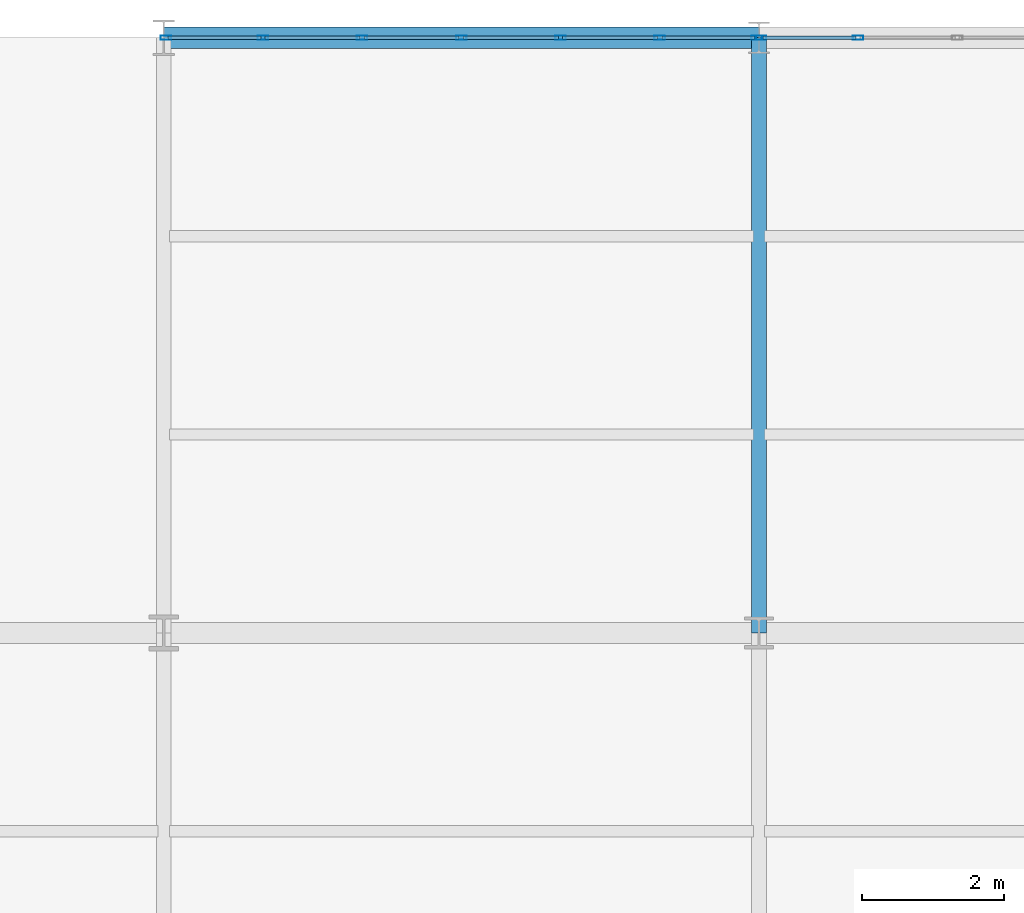
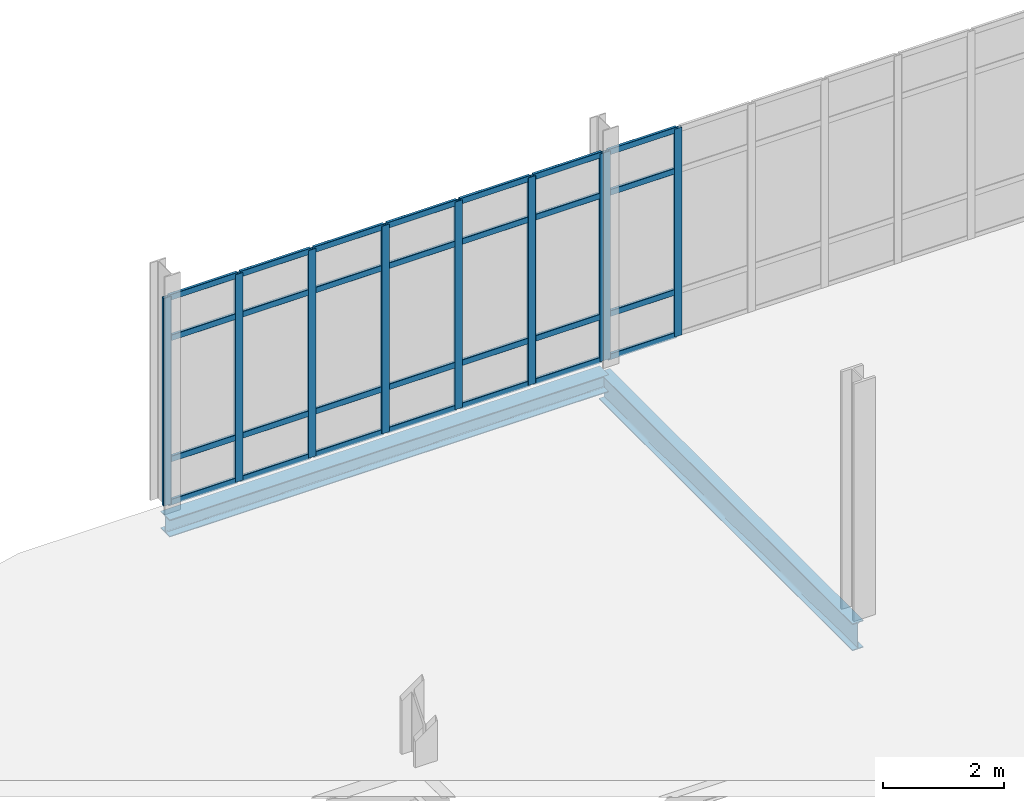
# One storey, part 84 of 145: 37 members, 2 beams, 2 elements without a shape of their own.
"""IFC4 building model written with IfcOpenShell, lengths in metres."""

from ifc_helpers import new_model, si_unit, direction, frame, origin, origin_2d, place, context, subcontext, project, spatial, hollow_rectangle, i_section, extrude, material, layer, layer_set, material_profile, profile_set, type_object, element, aggregate, save


model = new_model("IFC4")

# Units and contexts
model_context = context("Model", 3, precision=1e-05, world=origin(), true_north=direction((0.0, 1.0)))
body_context = subcontext(model_context, "Body", "Model", "MODEL_VIEW")
ifc_project = project(units=[si_unit("LENGTHUNIT", "METRE"), si_unit("AREAUNIT", "SQUARE_METRE"), si_unit("VOLUMEUNIT", "CUBIC_METRE"), si_unit("PLANEANGLEUNIT", "RADIAN"), si_unit("MASSUNIT", "GRAM", prefix="KILO")], contexts=[model_context])

# Site, building, storey
site_placement = place(None, origin())
site = spatial("IfcSite", under=ifc_project, at=site_placement, CompositionType="ELEMENT")
building_placement = place(site_placement, origin())
building = spatial("IfcBuilding", under=site, at=building_placement, Name="Qalvenar Corner Mobility Hub", CompositionType="ELEMENT")
storey_placement = place(building_placement, origin())
storey = spatial("IfcBuildingStorey", under=building, at=storey_placement, Name="L00", CompositionType="ELEMENT", Elevation=0.0)

# Beams
ifc_material_1 = material(Name="Steel S355", Category="steel")
ifc_material_profile_1 = material_profile(ifc_material_1, i_section(OverallWidth=0.2099609375, OverallDepth=0.550048828125, WebThickness=0.010986328125, FlangeThickness=0.01708984375, FilletRadius=0.02392578125, at=origin_2d()), Name="IPE550")
ifc_profile_set_1 = profile_set([ifc_material_profile_1], Name="Steel S355")
beam_type_1 = type_object("IfcBeamType", Name="BM-IPE550", PredefinedType="BEAM", material=ifc_profile_set_1)
beam_1_placement = place(storey_placement, frame((75.60009765625, 109.199951171875, -0.4951171875), z_axis=(0.0, 1.0, 0.0), x_axis=(-1.0, 0.0, 0.0)))
element("IfcBeam", 1, at=beam_1_placement, inside=storey, type_object=beam_type_1, Name="Primary Steel Girder GY-0604", PredefinedType="BEAM", context=body_context, shape_type="SweptSolid", body=[
    extrude(i_section(OverallWidth=0.2099609375, OverallDepth=0.550048828125, WebThickness=0.010986328125, FlangeThickness=0.01708984375, FilletRadius=0.02392578125, at=origin_2d()), origin(), (0.0, 0.0, 1.0), 8.400146484375),
])
ifc_material_profile_2 = material_profile(ifc_material_1, i_section(OverallWidth=0.300048828125, OverallDepth=0.35009765625, WebThickness=0.010009765625, FlangeThickness=0.017578125, FilletRadius=0.027099609375, at=origin_2d()), Name="HEA360")
ifc_profile_set_2 = profile_set([ifc_material_profile_2], Name="Steel S355")
beam_type_2 = type_object("IfcBeamType", Name="BM-SPN360", PredefinedType="SPANDREL", material=ifc_profile_set_2)
beam_2_placement = place(storey_placement, frame((67.199951171875, 117.60009765625, -0.39501953125), z_axis=(1.0, 0.0, 0.0), x_axis=(0.0, 1.0, 0.0)))
element("IfcBeam", 2, at=beam_2_placement, inside=storey, type_object=beam_type_2, Name="Primary Steel Girder GX-0581", PredefinedType="SPANDREL", context=body_context, shape_type="SweptSolid", body=[
    extrude(i_section(OverallWidth=0.300048828125, OverallDepth=0.35009765625, WebThickness=0.010009765625, FlangeThickness=0.017578125, FilletRadius=0.027099609375, at=origin_2d()), origin(), (0.0, 0.0, 1.0), 8.400146484375),
])

# Curtain wall, members
ifc_material_2 = material(Name="Anodised Aluminium and Low-E Glazing", Category="aluminium")
ifc_layer = layer(ifc_material_2, 0.14990234375)
ifc_layer_set = layer_set([ifc_layer], Name="Anodised Aluminium and Low-E Glazing")
curtain_wall_type = type_object("IfcCurtainWallType", Name="CW-MOB-84X46", PredefinedType="NOTDEFINED", material=ifc_layer_set)
curtain_wall_1_placement = place(storey_placement, origin())
curtain_wall_1 = element("IfcCurtainWall", 3, at=curtain_wall_1_placement, inside=storey, type_object=curtain_wall_type, Name="Glazed Curtain Wall CW-V4-L00-N1", PredefinedType="NOTDEFINED")
ifc_material_3 = material(Name="Anodised Aluminium 6063-T6", Category="aluminium")
ifc_material_profile_3 = material_profile(ifc_material_3, hollow_rectangle(XDim=0.06005859375, YDim=0.14990234375, WallThickness=0.00390625, InnerFilletRadius=0.00390625, OuterFilletRadius=0.008056640625, at=origin_2d()), Name="RHS150x60x4")
ifc_profile_set_3 = profile_set([ifc_material_profile_3], Name="Anodised Aluminium 6063-T6")
member_type_1 = type_object("IfcMemberType", Name="CW-MUL150", PredefinedType="MULLION", material=ifc_profile_set_3)
member_1_placement = place(storey_placement, frame((75.570068359375, 117.60009765625, 0.0), z_axis=(0.0, 0.0, 1.0), x_axis=(0.0, -1.0, 0.0)))
member_1 = element("IfcMember", 4, at=member_1_placement, type_object=member_type_1, Name="CW-03 mullion 1", PredefinedType="MULLION", context=body_context, shape_type="SweptSolid", body=[
    extrude(hollow_rectangle(XDim=0.06005859375, YDim=0.14990234375, WallThickness=0.00390625, InnerFilletRadius=0.00390625, OuterFilletRadius=0.008056640625, at=origin_2d()), origin(), (0.0, 0.0, 1.0), 4.199951171875),
])
member_2_placement = place(storey_placement, frame((74.199951171875, 117.60009765625, 0.0), z_axis=(0.0, 0.0, 1.0), x_axis=(0.0, -1.0, 0.0)))
member_2 = element("IfcMember", 5, at=member_2_placement, type_object=member_type_1, Name="CW-03 mullion 2", PredefinedType="MULLION", context=body_context, shape_type="SweptSolid", body=[
    extrude(hollow_rectangle(XDim=0.06005859375, YDim=0.14990234375, WallThickness=0.00390625, InnerFilletRadius=0.00390625, OuterFilletRadius=0.008056640625, at=origin_2d()), origin(), (0.0, 0.0, 1.0), 4.199951171875),
])
member_3_placement = place(storey_placement, frame((72.800048828125, 117.60009765625, 0.0), z_axis=(0.0, 0.0, 1.0), x_axis=(0.0, -1.0, 0.0)))
member_3 = element("IfcMember", 6, at=member_3_placement, type_object=member_type_1, Name="CW-03 mullion 3", PredefinedType="MULLION", context=body_context, shape_type="SweptSolid", body=[
    extrude(hollow_rectangle(XDim=0.06005859375, YDim=0.14990234375, WallThickness=0.00390625, InnerFilletRadius=0.00390625, OuterFilletRadius=0.008056640625, at=origin_2d()), origin(), (0.0, 0.0, 1.0), 4.199951171875),
])
member_4_placement = place(storey_placement, frame((71.39990234375, 117.60009765625, 0.0), z_axis=(0.0, 0.0, 1.0), x_axis=(0.0, -1.0, 0.0)))
member_4 = element("IfcMember", 7, at=member_4_placement, type_object=member_type_1, Name="CW-03 mullion 4", PredefinedType="MULLION", context=body_context, shape_type="SweptSolid", body=[
    extrude(hollow_rectangle(XDim=0.06005859375, YDim=0.14990234375, WallThickness=0.00390625, InnerFilletRadius=0.00390625, OuterFilletRadius=0.008056640625, at=origin_2d()), origin(), (0.0, 0.0, 1.0), 4.199951171875),
])
member_5_placement = place(storey_placement, frame((70.0, 117.60009765625, 0.0), z_axis=(0.0, 0.0, 1.0), x_axis=(0.0, -1.0, 0.0)))
member_5 = element("IfcMember", 8, at=member_5_placement, type_object=member_type_1, Name="CW-03 mullion 5", PredefinedType="MULLION", context=body_context, shape_type="SweptSolid", body=[
    extrude(hollow_rectangle(XDim=0.06005859375, YDim=0.14990234375, WallThickness=0.00390625, InnerFilletRadius=0.00390625, OuterFilletRadius=0.008056640625, at=origin_2d()), origin(), (0.0, 0.0, 1.0), 4.199951171875),
])
member_6_placement = place(storey_placement, frame((68.60009765625, 117.60009765625, 0.0), z_axis=(0.0, 0.0, 1.0), x_axis=(0.0, -1.0, 0.0)))
member_6 = element("IfcMember", 9, at=member_6_placement, type_object=member_type_1, Name="CW-03 mullion 6", PredefinedType="MULLION", context=body_context, shape_type="SweptSolid", body=[
    extrude(hollow_rectangle(XDim=0.06005859375, YDim=0.14990234375, WallThickness=0.00390625, InnerFilletRadius=0.00390625, OuterFilletRadius=0.008056640625, at=origin_2d()), origin(), (0.0, 0.0, 1.0), 4.199951171875),
])
member_7_placement = place(storey_placement, frame((67.22998046875, 117.60009765625, 0.0), z_axis=(0.0, 0.0, 1.0), x_axis=(0.0, -1.0, 0.0)))
member_7 = element("IfcMember", 10, at=member_7_placement, type_object=member_type_1, Name="CW-03 mullion 7", PredefinedType="MULLION", context=body_context, shape_type="SweptSolid", body=[
    extrude(hollow_rectangle(XDim=0.06005859375, YDim=0.14990234375, WallThickness=0.00390625, InnerFilletRadius=0.00390625, OuterFilletRadius=0.008056640625, at=origin_2d()), origin(), (0.0, 0.0, 1.0), 4.199951171875),
])

curtain_wall_2_placement = place(storey_placement, origin())
curtain_wall_2 = element("IfcCurtainWall", 11, at=curtain_wall_2_placement, inside=storey, type_object=curtain_wall_type, Name="Glazed Curtain Wall CW-V4-L00-N2", PredefinedType="NOTDEFINED")
member_8_placement = place(storey_placement, frame((77.0, 117.60009765625, 0.0), z_axis=(0.0, 0.0, 1.0), x_axis=(0.0, -1.0, 0.0)))
member_8 = element("IfcMember", 12, at=member_8_placement, type_object=member_type_1, Name="CW-03 mullion 6", PredefinedType="MULLION", context=body_context, shape_type="SweptSolid", body=[
    extrude(hollow_rectangle(XDim=0.06005859375, YDim=0.14990234375, WallThickness=0.00390625, InnerFilletRadius=0.00390625, OuterFilletRadius=0.008056640625, at=origin_2d()), origin(), (0.0, 0.0, 1.0), 4.199951171875),
])
member_9_placement = place(storey_placement, frame((75.6298828125, 117.60009765625, 0.0), z_axis=(0.0, 0.0, 1.0), x_axis=(0.0, -1.0, 0.0)))
member_9 = element("IfcMember", 13, at=member_9_placement, type_object=member_type_1, Name="CW-03 mullion 7", PredefinedType="MULLION", context=body_context, shape_type="SweptSolid", body=[
    extrude(hollow_rectangle(XDim=0.06005859375, YDim=0.14990234375, WallThickness=0.00390625, InnerFilletRadius=0.00390625, OuterFilletRadius=0.008056640625, at=origin_2d()), origin(), (0.0, 0.0, 1.0), 4.199951171875),
])

# Member
ifc_material_profile_4 = material_profile(ifc_material_3, hollow_rectangle(XDim=0.054931640625, YDim=0.1201171875, WallThickness=0.00341796875, InnerFilletRadius=0.00341796875, OuterFilletRadius=0.007080078125, at=origin_2d()), Name="RHS120x55x3.5")
ifc_profile_set_4 = profile_set([ifc_material_profile_4], Name="Anodised Aluminium 6063-T6")
member_type_2 = type_object("IfcMemberType", Name="CW-TRN120", PredefinedType="USERDEFINED", material=ifc_profile_set_4)
member_10_placement = place(storey_placement, frame((75.5400390625, 117.60009765625, 0.027587890625), z_axis=(-1.0, 0.0, 0.0), x_axis=(0.0, -1.0, 0.0)))
member_10 = element("IfcMember", 14, at=member_10_placement, type_object=member_type_2, Name="CW-03 transom 1.1", ObjectType="TRANSOM", PredefinedType="USERDEFINED", context=body_context, shape_type="SweptSolid", body=[
    extrude(hollow_rectangle(XDim=0.054931640625, YDim=0.1201171875, WallThickness=0.00341796875, InnerFilletRadius=0.00341796875, OuterFilletRadius=0.007080078125, at=origin_2d()), origin(), (0.0, 0.0, 1.0), 1.31005859375),
])

member_11_placement = place(storey_placement, frame((75.5400390625, 117.60009765625, 0.89990234375), z_axis=(-1.0, 0.0, 0.0), x_axis=(0.0, -1.0, 0.0)))
member_11 = element("IfcMember", 15, at=member_11_placement, type_object=member_type_2, Name="CW-03 transom 1.2", ObjectType="TRANSOM", PredefinedType="USERDEFINED", context=body_context, shape_type="SweptSolid", body=[
    extrude(hollow_rectangle(XDim=0.054931640625, YDim=0.1201171875, WallThickness=0.00341796875, InnerFilletRadius=0.00341796875, OuterFilletRadius=0.007080078125, at=origin_2d()), origin(), (0.0, 0.0, 1.0), 1.31005859375),
])

member_12_placement = place(storey_placement, frame((75.5400390625, 117.60009765625, 3.35009765625), z_axis=(-1.0, 0.0, 0.0), x_axis=(0.0, -1.0, 0.0)))
member_12 = element("IfcMember", 16, at=member_12_placement, type_object=member_type_2, Name="CW-03 transom 1.3", ObjectType="TRANSOM", PredefinedType="USERDEFINED", context=body_context, shape_type="SweptSolid", body=[
    extrude(hollow_rectangle(XDim=0.054931640625, YDim=0.1201171875, WallThickness=0.00341796875, InnerFilletRadius=0.00341796875, OuterFilletRadius=0.007080078125, at=origin_2d()), origin(), (0.0, 0.0, 1.0), 1.31005859375),
])

member_13_placement = place(storey_placement, frame((75.5400390625, 117.60009765625, 4.172607421875), z_axis=(-1.0, 0.0, 0.0), x_axis=(0.0, -1.0, 0.0)))
member_13 = element("IfcMember", 17, at=member_13_placement, type_object=member_type_2, Name="CW-03 transom 1.4", ObjectType="TRANSOM", PredefinedType="USERDEFINED", context=body_context, shape_type="SweptSolid", body=[
    extrude(hollow_rectangle(XDim=0.054931640625, YDim=0.1201171875, WallThickness=0.00341796875, InnerFilletRadius=0.00341796875, OuterFilletRadius=0.007080078125, at=origin_2d()), origin(), (0.0, 0.0, 1.0), 1.31005859375),
])

member_14_placement = place(storey_placement, frame((74.169921875, 117.60009765625, 0.027587890625), z_axis=(-1.0, 0.0, 0.0), x_axis=(0.0, -1.0, 0.0)))
member_14 = element("IfcMember", 18, at=member_14_placement, type_object=member_type_2, Name="CW-03 transom 2.1", ObjectType="TRANSOM", PredefinedType="USERDEFINED", context=body_context, shape_type="SweptSolid", body=[
    extrude(hollow_rectangle(XDim=0.054931640625, YDim=0.1201171875, WallThickness=0.00341796875, InnerFilletRadius=0.00341796875, OuterFilletRadius=0.007080078125, at=origin_2d()), origin(), (0.0, 0.0, 1.0), 1.33984375),
])

member_15_placement = place(storey_placement, frame((74.169921875, 117.60009765625, 0.89990234375), z_axis=(-1.0, 0.0, 0.0), x_axis=(0.0, -1.0, 0.0)))
member_15 = element("IfcMember", 19, at=member_15_placement, type_object=member_type_2, Name="CW-03 transom 2.2", ObjectType="TRANSOM", PredefinedType="USERDEFINED", context=body_context, shape_type="SweptSolid", body=[
    extrude(hollow_rectangle(XDim=0.054931640625, YDim=0.1201171875, WallThickness=0.00341796875, InnerFilletRadius=0.00341796875, OuterFilletRadius=0.007080078125, at=origin_2d()), origin(), (0.0, 0.0, 1.0), 1.33984375),
])

member_16_placement = place(storey_placement, frame((74.169921875, 117.60009765625, 3.35009765625), z_axis=(-1.0, 0.0, 0.0), x_axis=(0.0, -1.0, 0.0)))
member_16 = element("IfcMember", 20, at=member_16_placement, type_object=member_type_2, Name="CW-03 transom 2.3", ObjectType="TRANSOM", PredefinedType="USERDEFINED", context=body_context, shape_type="SweptSolid", body=[
    extrude(hollow_rectangle(XDim=0.054931640625, YDim=0.1201171875, WallThickness=0.00341796875, InnerFilletRadius=0.00341796875, OuterFilletRadius=0.007080078125, at=origin_2d()), origin(), (0.0, 0.0, 1.0), 1.33984375),
])

member_17_placement = place(storey_placement, frame((74.169921875, 117.60009765625, 4.172607421875), z_axis=(-1.0, 0.0, 0.0), x_axis=(0.0, -1.0, 0.0)))
member_17 = element("IfcMember", 21, at=member_17_placement, type_object=member_type_2, Name="CW-03 transom 2.4", ObjectType="TRANSOM", PredefinedType="USERDEFINED", context=body_context, shape_type="SweptSolid", body=[
    extrude(hollow_rectangle(XDim=0.054931640625, YDim=0.1201171875, WallThickness=0.00341796875, InnerFilletRadius=0.00341796875, OuterFilletRadius=0.007080078125, at=origin_2d()), origin(), (0.0, 0.0, 1.0), 1.33984375),
])

member_18_placement = place(storey_placement, frame((72.77001953125, 117.60009765625, 0.027587890625), z_axis=(-1.0, 0.0, 0.0), x_axis=(0.0, -1.0, 0.0)))
member_18 = element("IfcMember", 22, at=member_18_placement, type_object=member_type_2, Name="CW-03 transom 3.1", ObjectType="TRANSOM", PredefinedType="USERDEFINED", context=body_context, shape_type="SweptSolid", body=[
    extrude(hollow_rectangle(XDim=0.054931640625, YDim=0.1201171875, WallThickness=0.00341796875, InnerFilletRadius=0.00341796875, OuterFilletRadius=0.007080078125, at=origin_2d()), origin(), (0.0, 0.0, 1.0), 1.340087890625),
])

member_19_placement = place(storey_placement, frame((72.77001953125, 117.60009765625, 0.89990234375), z_axis=(-1.0, 0.0, 0.0), x_axis=(0.0, -1.0, 0.0)))
member_19 = element("IfcMember", 23, at=member_19_placement, type_object=member_type_2, Name="CW-03 transom 3.2", ObjectType="TRANSOM", PredefinedType="USERDEFINED", context=body_context, shape_type="SweptSolid", body=[
    extrude(hollow_rectangle(XDim=0.054931640625, YDim=0.1201171875, WallThickness=0.00341796875, InnerFilletRadius=0.00341796875, OuterFilletRadius=0.007080078125, at=origin_2d()), origin(), (0.0, 0.0, 1.0), 1.340087890625),
])

member_20_placement = place(storey_placement, frame((72.77001953125, 117.60009765625, 3.35009765625), z_axis=(-1.0, 0.0, 0.0), x_axis=(0.0, -1.0, 0.0)))
member_20 = element("IfcMember", 24, at=member_20_placement, type_object=member_type_2, Name="CW-03 transom 3.3", ObjectType="TRANSOM", PredefinedType="USERDEFINED", context=body_context, shape_type="SweptSolid", body=[
    extrude(hollow_rectangle(XDim=0.054931640625, YDim=0.1201171875, WallThickness=0.00341796875, InnerFilletRadius=0.00341796875, OuterFilletRadius=0.007080078125, at=origin_2d()), origin(), (0.0, 0.0, 1.0), 1.340087890625),
])

member_21_placement = place(storey_placement, frame((72.77001953125, 117.60009765625, 4.172607421875), z_axis=(-1.0, 0.0, 0.0), x_axis=(0.0, -1.0, 0.0)))
member_21 = element("IfcMember", 25, at=member_21_placement, type_object=member_type_2, Name="CW-03 transom 3.4", ObjectType="TRANSOM", PredefinedType="USERDEFINED", context=body_context, shape_type="SweptSolid", body=[
    extrude(hollow_rectangle(XDim=0.054931640625, YDim=0.1201171875, WallThickness=0.00341796875, InnerFilletRadius=0.00341796875, OuterFilletRadius=0.007080078125, at=origin_2d()), origin(), (0.0, 0.0, 1.0), 1.340087890625),
])

member_22_placement = place(storey_placement, frame((71.3701171875, 117.60009765625, 0.027587890625), z_axis=(-1.0, 0.0, 0.0), x_axis=(0.0, -1.0, 0.0)))
member_22 = element("IfcMember", 26, at=member_22_placement, type_object=member_type_2, Name="CW-03 transom 4.1", ObjectType="TRANSOM", PredefinedType="USERDEFINED", context=body_context, shape_type="SweptSolid", body=[
    extrude(hollow_rectangle(XDim=0.054931640625, YDim=0.1201171875, WallThickness=0.00341796875, InnerFilletRadius=0.00341796875, OuterFilletRadius=0.007080078125, at=origin_2d()), origin(), (0.0, 0.0, 1.0), 1.340087890625),
])

member_23_placement = place(storey_placement, frame((71.3701171875, 117.60009765625, 0.89990234375), z_axis=(-1.0, 0.0, 0.0), x_axis=(0.0, -1.0, 0.0)))
member_23 = element("IfcMember", 27, at=member_23_placement, type_object=member_type_2, Name="CW-03 transom 4.2", ObjectType="TRANSOM", PredefinedType="USERDEFINED", context=body_context, shape_type="SweptSolid", body=[
    extrude(hollow_rectangle(XDim=0.054931640625, YDim=0.1201171875, WallThickness=0.00341796875, InnerFilletRadius=0.00341796875, OuterFilletRadius=0.007080078125, at=origin_2d()), origin(), (0.0, 0.0, 1.0), 1.340087890625),
])

member_24_placement = place(storey_placement, frame((71.3701171875, 117.60009765625, 3.35009765625), z_axis=(-1.0, 0.0, 0.0), x_axis=(0.0, -1.0, 0.0)))
member_24 = element("IfcMember", 28, at=member_24_placement, type_object=member_type_2, Name="CW-03 transom 4.3", ObjectType="TRANSOM", PredefinedType="USERDEFINED", context=body_context, shape_type="SweptSolid", body=[
    extrude(hollow_rectangle(XDim=0.054931640625, YDim=0.1201171875, WallThickness=0.00341796875, InnerFilletRadius=0.00341796875, OuterFilletRadius=0.007080078125, at=origin_2d()), origin(), (0.0, 0.0, 1.0), 1.340087890625),
])

member_25_placement = place(storey_placement, frame((71.3701171875, 117.60009765625, 4.172607421875), z_axis=(-1.0, 0.0, 0.0), x_axis=(0.0, -1.0, 0.0)))
member_25 = element("IfcMember", 29, at=member_25_placement, type_object=member_type_2, Name="CW-03 transom 4.4", ObjectType="TRANSOM", PredefinedType="USERDEFINED", context=body_context, shape_type="SweptSolid", body=[
    extrude(hollow_rectangle(XDim=0.054931640625, YDim=0.1201171875, WallThickness=0.00341796875, InnerFilletRadius=0.00341796875, OuterFilletRadius=0.007080078125, at=origin_2d()), origin(), (0.0, 0.0, 1.0), 1.340087890625),
])

member_26_placement = place(storey_placement, frame((69.969970703125, 117.60009765625, 0.027587890625), z_axis=(-1.0, 0.0, 0.0), x_axis=(0.0, -1.0, 0.0)))
member_26 = element("IfcMember", 30, at=member_26_placement, type_object=member_type_2, Name="CW-03 transom 5.1", ObjectType="TRANSOM", PredefinedType="USERDEFINED", context=body_context, shape_type="SweptSolid", body=[
    extrude(hollow_rectangle(XDim=0.054931640625, YDim=0.1201171875, WallThickness=0.00341796875, InnerFilletRadius=0.00341796875, OuterFilletRadius=0.007080078125, at=origin_2d()), origin(), (0.0, 0.0, 1.0), 1.340087890625),
])

member_27_placement = place(storey_placement, frame((69.969970703125, 117.60009765625, 0.89990234375), z_axis=(-1.0, 0.0, 0.0), x_axis=(0.0, -1.0, 0.0)))
member_27 = element("IfcMember", 31, at=member_27_placement, type_object=member_type_2, Name="CW-03 transom 5.2", ObjectType="TRANSOM", PredefinedType="USERDEFINED", context=body_context, shape_type="SweptSolid", body=[
    extrude(hollow_rectangle(XDim=0.054931640625, YDim=0.1201171875, WallThickness=0.00341796875, InnerFilletRadius=0.00341796875, OuterFilletRadius=0.007080078125, at=origin_2d()), origin(), (0.0, 0.0, 1.0), 1.340087890625),
])

member_28_placement = place(storey_placement, frame((69.969970703125, 117.60009765625, 3.35009765625), z_axis=(-1.0, 0.0, 0.0), x_axis=(0.0, -1.0, 0.0)))
member_28 = element("IfcMember", 32, at=member_28_placement, type_object=member_type_2, Name="CW-03 transom 5.3", ObjectType="TRANSOM", PredefinedType="USERDEFINED", context=body_context, shape_type="SweptSolid", body=[
    extrude(hollow_rectangle(XDim=0.054931640625, YDim=0.1201171875, WallThickness=0.00341796875, InnerFilletRadius=0.00341796875, OuterFilletRadius=0.007080078125, at=origin_2d()), origin(), (0.0, 0.0, 1.0), 1.340087890625),
])

member_29_placement = place(storey_placement, frame((69.969970703125, 117.60009765625, 4.172607421875), z_axis=(-1.0, 0.0, 0.0), x_axis=(0.0, -1.0, 0.0)))
member_29 = element("IfcMember", 33, at=member_29_placement, type_object=member_type_2, Name="CW-03 transom 5.4", ObjectType="TRANSOM", PredefinedType="USERDEFINED", context=body_context, shape_type="SweptSolid", body=[
    extrude(hollow_rectangle(XDim=0.054931640625, YDim=0.1201171875, WallThickness=0.00341796875, InnerFilletRadius=0.00341796875, OuterFilletRadius=0.007080078125, at=origin_2d()), origin(), (0.0, 0.0, 1.0), 1.340087890625),
])

member_30_placement = place(storey_placement, frame((68.570068359375, 117.60009765625, 0.027587890625), z_axis=(-1.0, 0.0, 0.0), x_axis=(0.0, -1.0, 0.0)))
member_30 = element("IfcMember", 34, at=member_30_placement, type_object=member_type_2, Name="CW-03 transom 6.1", ObjectType="TRANSOM", PredefinedType="USERDEFINED", context=body_context, shape_type="SweptSolid", body=[
    extrude(hollow_rectangle(XDim=0.054931640625, YDim=0.1201171875, WallThickness=0.00341796875, InnerFilletRadius=0.00341796875, OuterFilletRadius=0.007080078125, at=origin_2d()), origin(), (0.0, 0.0, 1.0), 1.31005859375),
])

member_31_placement = place(storey_placement, frame((68.570068359375, 117.60009765625, 0.89990234375), z_axis=(-1.0, 0.0, 0.0), x_axis=(0.0, -1.0, 0.0)))
member_31 = element("IfcMember", 35, at=member_31_placement, type_object=member_type_2, Name="CW-03 transom 6.2", ObjectType="TRANSOM", PredefinedType="USERDEFINED", context=body_context, shape_type="SweptSolid", body=[
    extrude(hollow_rectangle(XDim=0.054931640625, YDim=0.1201171875, WallThickness=0.00341796875, InnerFilletRadius=0.00341796875, OuterFilletRadius=0.007080078125, at=origin_2d()), origin(), (0.0, 0.0, 1.0), 1.31005859375),
])

member_32_placement = place(storey_placement, frame((68.570068359375, 117.60009765625, 3.35009765625), z_axis=(-1.0, 0.0, 0.0), x_axis=(0.0, -1.0, 0.0)))
member_32 = element("IfcMember", 36, at=member_32_placement, type_object=member_type_2, Name="CW-03 transom 6.3", ObjectType="TRANSOM", PredefinedType="USERDEFINED", context=body_context, shape_type="SweptSolid", body=[
    extrude(hollow_rectangle(XDim=0.054931640625, YDim=0.1201171875, WallThickness=0.00341796875, InnerFilletRadius=0.00341796875, OuterFilletRadius=0.007080078125, at=origin_2d()), origin(), (0.0, 0.0, 1.0), 1.31005859375),
])

member_33_placement = place(storey_placement, frame((68.570068359375, 117.60009765625, 4.172607421875), z_axis=(-1.0, 0.0, 0.0), x_axis=(0.0, -1.0, 0.0)))
member_33 = element("IfcMember", 37, at=member_33_placement, type_object=member_type_2, Name="CW-03 transom 6.4", ObjectType="TRANSOM", PredefinedType="USERDEFINED", context=body_context, shape_type="SweptSolid", body=[
    extrude(hollow_rectangle(XDim=0.054931640625, YDim=0.1201171875, WallThickness=0.00341796875, InnerFilletRadius=0.00341796875, OuterFilletRadius=0.007080078125, at=origin_2d()), origin(), (0.0, 0.0, 1.0), 1.31005859375),
])

aggregate(curtain_wall_1, [member_1, member_2, member_3, member_4, member_5, member_6, member_7, member_10, member_11, member_12, member_13, member_14, member_15, member_16, member_17, member_18, member_19, member_20, member_21, member_22, member_23, member_24, member_25, member_26, member_27, member_28, member_29, member_30, member_31, member_32, member_33])

member_34_placement = place(storey_placement, frame((76.969970703125, 117.60009765625, 0.027587890625), z_axis=(-1.0, 0.0, 0.0), x_axis=(0.0, -1.0, 0.0)))
member_34 = element("IfcMember", 38, at=member_34_placement, type_object=member_type_2, Name="CW-03 transom 6.1", ObjectType="TRANSOM", PredefinedType="USERDEFINED", context=body_context, shape_type="SweptSolid", body=[
    extrude(hollow_rectangle(XDim=0.054931640625, YDim=0.1201171875, WallThickness=0.00341796875, InnerFilletRadius=0.00341796875, OuterFilletRadius=0.007080078125, at=origin_2d()), origin(), (0.0, 0.0, 1.0), 1.31005859375),
])

member_35_placement = place(storey_placement, frame((76.969970703125, 117.60009765625, 0.89990234375), z_axis=(-1.0, 0.0, 0.0), x_axis=(0.0, -1.0, 0.0)))
member_35 = element("IfcMember", 39, at=member_35_placement, type_object=member_type_2, Name="CW-03 transom 6.2", ObjectType="TRANSOM", PredefinedType="USERDEFINED", context=body_context, shape_type="SweptSolid", body=[
    extrude(hollow_rectangle(XDim=0.054931640625, YDim=0.1201171875, WallThickness=0.00341796875, InnerFilletRadius=0.00341796875, OuterFilletRadius=0.007080078125, at=origin_2d()), origin(), (0.0, 0.0, 1.0), 1.31005859375),
])

member_36_placement = place(storey_placement, frame((76.969970703125, 117.60009765625, 3.35009765625), z_axis=(-1.0, 0.0, 0.0), x_axis=(0.0, -1.0, 0.0)))
member_36 = element("IfcMember", 40, at=member_36_placement, type_object=member_type_2, Name="CW-03 transom 6.3", ObjectType="TRANSOM", PredefinedType="USERDEFINED", context=body_context, shape_type="SweptSolid", body=[
    extrude(hollow_rectangle(XDim=0.054931640625, YDim=0.1201171875, WallThickness=0.00341796875, InnerFilletRadius=0.00341796875, OuterFilletRadius=0.007080078125, at=origin_2d()), origin(), (0.0, 0.0, 1.0), 1.31005859375),
])

member_37_placement = place(storey_placement, frame((76.969970703125, 117.60009765625, 4.172607421875), z_axis=(-1.0, 0.0, 0.0), x_axis=(0.0, -1.0, 0.0)))
member_37 = element("IfcMember", 41, at=member_37_placement, type_object=member_type_2, Name="CW-03 transom 6.4", ObjectType="TRANSOM", PredefinedType="USERDEFINED", context=body_context, shape_type="SweptSolid", body=[
    extrude(hollow_rectangle(XDim=0.054931640625, YDim=0.1201171875, WallThickness=0.00341796875, InnerFilletRadius=0.00341796875, OuterFilletRadius=0.007080078125, at=origin_2d()), origin(), (0.0, 0.0, 1.0), 1.31005859375),
])

aggregate(curtain_wall_2, [member_8, member_9, member_34, member_35, member_36, member_37])

save(model, "model.ifc")
